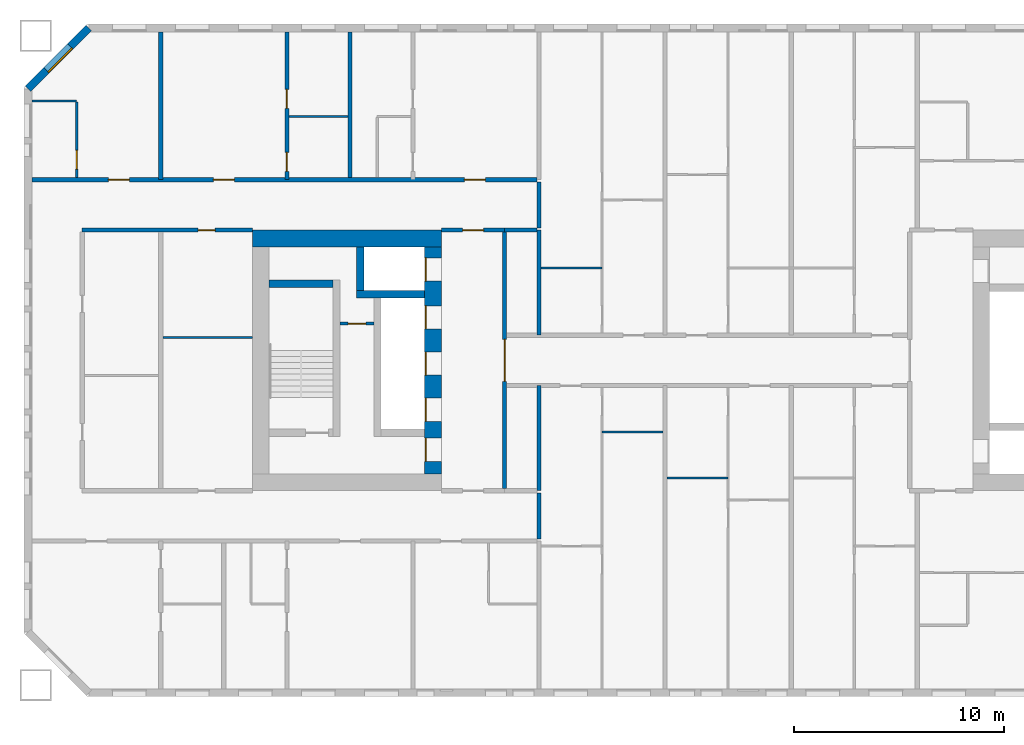
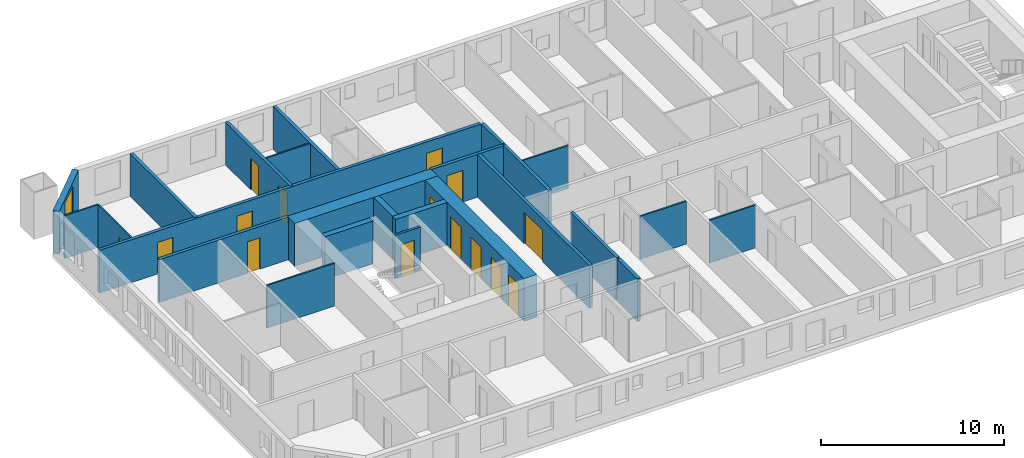
# One storey, part 5 of 19: 26 walls, 15 doors, 1 window, 16 openings.
"""IFC4 building model written with IfcOpenShell, lengths in metres."""

from ifc_helpers import new_model, si_unit, direction, frame, frame_2d, origin, place, context, subcontext, project, spatial, rectangle, extrude, material, layer, layer_set, type_object, element, fill, save


model = new_model("IFC4")

# Units and contexts
model_context = context("Model", 3, precision=1e-05, world=origin(), true_north=direction((0.0, 1.0)))
body_context = subcontext(model_context, "Body", "Model", "MODEL_VIEW")
ifc_project = project(units=[si_unit("LENGTHUNIT", "METRE"), si_unit("AREAUNIT", "SQUARE_METRE"), si_unit("VOLUMEUNIT", "CUBIC_METRE"), si_unit("PLANEANGLEUNIT", "RADIAN"), si_unit("MASSUNIT", "GRAM", prefix="KILO")], contexts=[model_context])

# Site, building, storey
site_placement = place(None, origin())
site = spatial("IfcSite", under=ifc_project, at=site_placement, CompositionType="ELEMENT")
building_placement = place(site_placement, origin())
building = spatial("IfcBuilding", under=site, at=building_placement, Name="Tuart Gate Housing", CompositionType="ELEMENT")
storey_placement = place(building_placement, frame((0.0, 0.0, 56.699951171875)))
storey = spatial("IfcBuildingStorey", under=building, at=storey_placement, Name="L15", CompositionType="ELEMENT", Elevation=56.699951171875)

# Wall, opening, window
ifc_material_1 = material(Name="Brick", Category="masonry")
ifc_layer_1 = layer(ifc_material_1, 0.360107421875)
ifc_layer_set_1 = layer_set([ifc_layer_1], Name="Brick pier and spandrel wall 360")
wall_type_1 = type_object("IfcWallType", Name="Brick pier and spandrel wall 360", PredefinedType="STANDARD", material=ifc_layer_set_1)
wall_1_placement = place(storey_placement, frame((24.57470703125, 85.820068359375, 0.0), z_axis=(0.0, 0.0, 1.0), x_axis=(-0.707106781187, -0.707106781187, 0.0)))
wall_1 = element("IfcWall", 1, at=wall_1_placement, inside=storey, type_object=wall_type_1, Name="External wall A-NW L15", PredefinedType="STANDARD", context=body_context, shape_type="SweptSolid", body=[
    extrude(rectangle(XDim=4.09375, YDim=0.360107421875, at=frame_2d((2.046875, 0.0))), origin(), (0.0, 0.0, 1.0), 2.85009765625),
])
opening_1_placement = place(wall_1_placement, frame((1.2470703125, 0.0, 0.800048828125)))
opening_1 = element("IfcOpeningElement", 2, at=opening_1_placement, cuts=wall_1, Name="Opening W1", PredefinedType="OPENING", context=body_context, shape_type="SweptSolid", body=[
    extrude(rectangle(XDim=1.60009765625, YDim=1.800048828125, at=frame_2d((0.800048828125, 0.89990234375))), frame((0.0, 0.18994140625, 0.0), z_axis=(0.0, -1.0, 0.0), x_axis=(1.0, 0.0, 0.0)), (0.0, 0.0, 1.0), 0.380126953125),
])
ifc_material_2 = material(Name="Aluminium frame with clear glass", Category="aluminium")
window_type = type_object("IfcWindowType", Name="Punched window 1600 x 1800", PartitioningType="SINGLE_PANEL", PredefinedType="WINDOW", material=ifc_material_2)
window_placement = place(opening_1_placement, origin())
window = element("IfcWindow", 3, at=window_placement, inside=storey, type_object=window_type, Name="Window W1", OverallHeight=1.800048828125, OverallWidth=1.60009765625, PartitioningType="SINGLE_PANEL", PredefinedType="WINDOW", context=body_context, shape_type="SweptSolid", body=[
    extrude(rectangle(XDim=1.60009765625, YDim=1.800048828125, at=frame_2d((0.800048828125, 0.89990234375))), frame((0.0, 0.150146484375, 0.0), z_axis=(0.0, -1.0, 0.0), x_axis=(1.0, 0.0, 0.0)), (0.0, 0.0, 1.0), 0.06005859375),
])
fill(opening_1, window)

# Wall, opening, door
ifc_material_3 = material(Name="Plasterboard partition")
ifc_layer_2 = layer(ifc_material_3, 0.14990234375)
ifc_layer_set_2 = layer_set([ifc_layer_2], Name="Core partition 150")
wall_type_2 = type_object("IfcWallType", Name="Core partition 150", PredefinedType="PARTITIONING", material=ifc_layer_set_2)
wall_2_placement = place(storey_placement, frame((38.135009765625, 71.75, 0.0), z_axis=(0.0, 0.0, 1.0), x_axis=(-1.0, 0.0, 0.0)))
wall_2 = element("IfcWall", 4, at=wall_2_placement, inside=storey, type_object=wall_type_2, Name="Core partition AK.3", PredefinedType="PARTITIONING", context=body_context, shape_type="SweptSolid", body=[
    extrude(rectangle(XDim=1.60009765625, YDim=0.14990234375, at=frame_2d((0.800048828125, 0.0))), origin(), (0.0, 0.0, 1.0), 2.85009765625),
])
opening_2_placement = place(wall_2_placement, frame((0.375, 0.0, 0.0)))
opening_2 = element("IfcOpeningElement", 5, at=opening_2_placement, cuts=wall_2, Name="Opening D738", PredefinedType="OPENING", context=body_context, shape_type="SweptSolid", body=[
    extrude(rectangle(XDim=0.85009765625, YDim=2.10009765625, at=frame_2d((0.425048828125, 1.050048828125))), frame((0.0, 0.0849609375, 0.0), z_axis=(0.0, -1.0, 0.0), x_axis=(1.0, 0.0, 0.0)), (0.0, 0.0, 1.0), 0.169921875),
])
ifc_material_4 = material(Name="Steel fire door", Category="steel")
door_type_1 = type_object("IfcDoorType", Name="Riser door 850 x 2100 RH", OperationType="SINGLE_SWING_RIGHT", PredefinedType="DOOR", material=ifc_material_4)
door_1_placement = place(opening_2_placement, frame((0.85009765625, 0.0, 0.0), z_axis=(0.0, 0.0, 1.0), x_axis=(-1.0, 0.0, 0.0)))
door_1 = element("IfcDoor", 6, at=door_1_placement, inside=storey, type_object=door_type_1, Name="Service room door AK.E1", OperationType="SINGLE_SWING_RIGHT", OverallHeight=2.10009765625, OverallWidth=0.85009765625, PredefinedType="DOOR", context=body_context, shape_type="SweptSolid", body=[
    extrude(rectangle(XDim=0.85009765625, YDim=2.10009765625, at=frame_2d((0.425048828125, 1.050048828125))), frame((0.0, 0.025146484375, 0.0), z_axis=(0.0, -1.0, 0.0), x_axis=(1.0, 0.0, 0.0)), (0.0, 0.0, 1.0), 0.050048828125),
])
fill(opening_2, door_1)

# Walls
ifc_material_5 = material(Name="Concrete C60", Category="concrete")
ifc_layer_3 = layer(ifc_material_5, 0.35009765625)
ifc_layer_set_3 = layer_set([ifc_layer_3], Name="Core wall 350 C60")
wall_type_3 = type_object("IfcWallType", Name="Core wall 350 C60", PredefinedType="SHEAR", material=ifc_layer_set_3)
wall_3_placement = place(storey_placement, frame((36.18505859375, 73.64990234375, 0.0), z_axis=(0.0, 0.0, 1.0), x_axis=(-1.0, 0.0, 0.0)))
element("IfcWall", 7, at=wall_3_placement, inside=storey, type_object=wall_type_3, Name="Core wall AK.1", PredefinedType="SHEAR", context=body_context, shape_type="SweptSolid", body=[
    extrude(rectangle(XDim=3.025146484375, YDim=0.35009765625, at=frame_2d((1.5126953125, 0.0))), origin(), (0.0, 0.0, 1.0), 2.85009765625),
])
wall_4_placement = place(storey_placement, frame((40.56005859375, 73.14990234375, 0.0), z_axis=(0.0, 0.0, 1.0), x_axis=(-1.0, 0.0, 0.0)))
element("IfcWall", 8, at=wall_4_placement, inside=storey, type_object=wall_type_3, Name="Core wall AK.2", PredefinedType="SHEAR", context=body_context, shape_type="SweptSolid", body=[
    extrude(rectangle(XDim=3.2451171875, YDim=0.35009765625, at=frame_2d((1.62255859375, 0.0))), origin(), (0.0, 0.0, 1.0), 2.85009765625),
])
wall_5_placement = place(storey_placement, frame((37.489990234375, 75.39990234375, 0.0), z_axis=(0.0, 0.0, 1.0), x_axis=(0.0, -1.0, 0.0)))
element("IfcWall", 9, at=wall_5_placement, inside=storey, type_object=wall_type_3, Name="Core wall AK.7", PredefinedType="SHEAR", context=body_context, shape_type="SweptSolid", body=[
    extrude(rectangle(XDim=2.074951171875, YDim=0.35009765625, at=frame_2d((1.03759765625, 0.0))), origin(), (0.0, 0.0, 1.0), 2.85009765625),
])

# Wall, openings, doors
ifc_material_6 = material(Name="Concrete C60", Category="concrete")
ifc_layer_4 = layer(ifc_material_6, 0.800048828125)
ifc_layer_set_4 = layer_set([ifc_layer_4], Name="Core wall 800 C60")
wall_type_4 = type_object("IfcWallType", Name="Core wall 800 C60", PredefinedType="SHEAR", material=ifc_layer_set_4)
wall_6_placement = place(storey_placement, frame((40.9599609375, 75.39990234375, 0.0), z_axis=(0.0, 0.0, 1.0), x_axis=(0.0, -1.0, 0.0)))
wall_6 = element("IfcWall", 10, at=wall_6_placement, inside=storey, type_object=wall_type_4, Name="Core wall AK front", PredefinedType="SHEAR", context=body_context, shape_type="SweptSolid", body=[
    extrude(rectangle(XDim=10.7998046875, YDim=0.800048828125, at=frame_2d((5.39990234375, 0.0))), origin(), (0.0, 0.0, 1.0), 2.85009765625),
])
opening_3_placement = place(wall_6_placement, frame((0.52490234375, 0.0, 0.0)))
opening_3 = element("IfcOpeningElement", 11, at=opening_3_placement, cuts=wall_6, Name="Opening LD-FA2", PredefinedType="OPENING", context=body_context, shape_type="SweptSolid", body=[
    extrude(rectangle(XDim=1.10009765625, YDim=2.10009765625, at=frame_2d((0.550048828125, 1.050048828125))), frame((0.0, 0.409912109375, 0.0), z_axis=(0.0, -1.0, 0.0), x_axis=(1.0, 0.0, 0.0)), (0.0, 0.0, 1.0), 0.820068359375),
])
opening_4_placement = place(wall_6_placement, frame((2.800048828125, 0.0, 0.0)))
opening_4 = element("IfcOpeningElement", 12, at=opening_4_placement, cuts=wall_6, Name="Opening LD-LA4", PredefinedType="OPENING", context=body_context, shape_type="SweptSolid", body=[
    extrude(rectangle(XDim=1.10009765625, YDim=2.10009765625, at=frame_2d((0.550048828125, 1.050048828125))), frame((0.0, 0.409912109375, 0.0), z_axis=(0.0, -1.0, 0.0), x_axis=(1.0, 0.0, 0.0)), (0.0, 0.0, 1.0), 0.820068359375),
])
opening_5_placement = place(wall_6_placement, frame((5.0, 0.0, 0.0)))
opening_5 = element("IfcOpeningElement", 13, at=opening_5_placement, cuts=wall_6, Name="Opening LD-LA5", PredefinedType="OPENING", context=body_context, shape_type="SweptSolid", body=[
    extrude(rectangle(XDim=1.10009765625, YDim=2.10009765625, at=frame_2d((0.550048828125, 1.050048828125))), frame((0.0, 0.409912109375, 0.0), z_axis=(0.0, -1.0, 0.0), x_axis=(1.0, 0.0, 0.0)), (0.0, 0.0, 1.0), 0.820068359375),
])
opening_6_placement = place(wall_6_placement, frame((7.199951171875, 0.0, 0.0)))
opening_6 = element("IfcOpeningElement", 14, at=opening_6_placement, cuts=wall_6, Name="Opening LD-LA6", PredefinedType="OPENING", context=body_context, shape_type="SweptSolid", body=[
    extrude(rectangle(XDim=1.10009765625, YDim=2.10009765625, at=frame_2d((0.550048828125, 1.050048828125))), frame((0.0, 0.409912109375, 0.0), z_axis=(0.0, -1.0, 0.0), x_axis=(1.0, 0.0, 0.0)), (0.0, 0.0, 1.0), 0.820068359375),
])
opening_7_placement = place(wall_6_placement, frame((9.10009765625, 0.0, 0.0)))
opening_7 = element("IfcOpeningElement", 15, at=opening_7_placement, cuts=wall_6, Name="Opening D744", PredefinedType="OPENING", context=body_context, shape_type="SweptSolid", body=[
    extrude(rectangle(XDim=1.10009765625, YDim=2.10009765625, at=frame_2d((0.550048828125, 1.050048828125))), frame((0.0, 0.409912109375, 0.0), z_axis=(0.0, -1.0, 0.0), x_axis=(1.0, 0.0, 0.0)), (0.0, 0.0, 1.0), 0.820068359375),
])
ifc_material_7 = material(Name="Stainless steel", Category="steel")
door_type_2 = type_object("IfcDoorType", Name="Landing door 1100 x 2100", OperationType="DOUBLE_DOOR_SLIDING", PredefinedType="DOOR", material=ifc_material_7)
door_2_placement = place(opening_3_placement, origin())
door_2 = element("IfcDoor", 16, at=door_2_placement, inside=storey, type_object=door_type_2, Name="Lift landing door FA2", OperationType="DOUBLE_DOOR_SLIDING", OverallHeight=2.10009765625, OverallWidth=1.10009765625, PredefinedType="DOOR", context=body_context, shape_type="SweptSolid", body=[
    extrude(rectangle(XDim=1.10009765625, YDim=2.10009765625, at=frame_2d((0.550048828125, 1.050048828125))), frame((0.0, -0.3349609375, 0.0), z_axis=(0.0, -1.0, 0.0), x_axis=(1.0, 0.0, 0.0)), (0.0, 0.0, 1.0), 0.050048828125),
])
fill(opening_3, door_2)
door_3_placement = place(opening_4_placement, origin())
door_3 = element("IfcDoor", 17, at=door_3_placement, inside=storey, type_object=door_type_2, Name="Lift landing door LA4", OperationType="DOUBLE_DOOR_SLIDING", OverallHeight=2.10009765625, OverallWidth=1.10009765625, PredefinedType="DOOR", context=body_context, shape_type="SweptSolid", body=[
    extrude(rectangle(XDim=1.10009765625, YDim=2.10009765625, at=frame_2d((0.550048828125, 1.050048828125))), frame((0.0, -0.3349609375, 0.0), z_axis=(0.0, -1.0, 0.0), x_axis=(1.0, 0.0, 0.0)), (0.0, 0.0, 1.0), 0.050048828125),
])
fill(opening_4, door_3)
door_4_placement = place(opening_5_placement, origin())
door_4 = element("IfcDoor", 18, at=door_4_placement, inside=storey, type_object=door_type_2, Name="Lift landing door LA5", OperationType="DOUBLE_DOOR_SLIDING", OverallHeight=2.10009765625, OverallWidth=1.10009765625, PredefinedType="DOOR", context=body_context, shape_type="SweptSolid", body=[
    extrude(rectangle(XDim=1.10009765625, YDim=2.10009765625, at=frame_2d((0.550048828125, 1.050048828125))), frame((0.0, -0.3349609375, 0.0), z_axis=(0.0, -1.0, 0.0), x_axis=(1.0, 0.0, 0.0)), (0.0, 0.0, 1.0), 0.050048828125),
])
fill(opening_5, door_4)
door_5_placement = place(opening_6_placement, origin())
door_5 = element("IfcDoor", 19, at=door_5_placement, inside=storey, type_object=door_type_2, Name="Lift landing door LA6", OperationType="DOUBLE_DOOR_SLIDING", OverallHeight=2.10009765625, OverallWidth=1.10009765625, PredefinedType="DOOR", context=body_context, shape_type="SweptSolid", body=[
    extrude(rectangle(XDim=1.10009765625, YDim=2.10009765625, at=frame_2d((0.550048828125, 1.050048828125))), frame((0.0, -0.3349609375, 0.0), z_axis=(0.0, -1.0, 0.0), x_axis=(1.0, 0.0, 0.0)), (0.0, 0.0, 1.0), 0.050048828125),
])
fill(opening_6, door_5)
ifc_material_8 = material(Name="Steel fire door", Category="steel")
door_type_3 = type_object("IfcDoorType", Name="Lobby door 1100 x 2100 RH", OperationType="SINGLE_SWING_RIGHT", PredefinedType="DOOR", material=ifc_material_8)
door_6_placement = place(opening_7_placement, frame((1.10009765625, 0.0, 0.0), z_axis=(0.0, 0.0, 1.0), x_axis=(-1.0, 0.0, 0.0)))
door_6 = element("IfcDoor", 20, at=door_6_placement, inside=storey, type_object=door_type_3, Name="Lobby entry door AK.EN", OperationType="SINGLE_SWING_RIGHT", OverallHeight=2.10009765625, OverallWidth=1.10009765625, PredefinedType="DOOR", context=body_context, shape_type="SweptSolid", body=[
    extrude(rectangle(XDim=1.10009765625, YDim=2.10009765625, at=frame_2d((0.550048828125, 1.050048828125))), frame((0.0, 0.385009765625, 0.0), z_axis=(0.0, -1.0, 0.0), x_axis=(1.0, 0.0, 0.0)), (0.0, 0.0, 1.0), 0.050048828125),
])
fill(opening_7, door_6)

# Wall
wall_7_placement = place(storey_placement, frame((41.360107421875, 75.800048828125, 0.0), z_axis=(0.0, 0.0, 1.0), x_axis=(-1.0, 0.0, 0.0)))
element("IfcWall", 21, at=wall_7_placement, inside=storey, type_object=wall_type_4, Name="Core wall AK south", PredefinedType="SHEAR", context=body_context, shape_type="SweptSolid", body=[
    extrude(rectangle(XDim=9.0, YDim=0.800048828125, at=frame_2d((4.5, 0.0))), origin(), (0.0, 0.0, 1.0), 2.85009765625),
])

# Wall, opening, door
ifc_material_9 = material(Name="Concrete masonry 15 MPa", Category="masonry")
ifc_layer_5 = layer(ifc_material_9, 0.199951171875)
ifc_layer_set_5 = layer_set([ifc_layer_5], Name="Corridor wall masonry 200")
wall_type_5 = type_object("IfcWallType", Name="Corridor wall masonry 200", PredefinedType="PARTITIONING", material=ifc_layer_set_5)
wall_8_placement = place(storey_placement, frame((24.260009765625, 76.199951171875, 0.0), z_axis=(0.0, 0.0, 1.0), x_axis=(1.0, 0.0, 0.0)))
wall_8 = element("IfcWall", 22, at=wall_8_placement, inside=storey, type_object=wall_type_5, Name="Corridor wall masonry 200", PredefinedType="PARTITIONING", context=body_context, shape_type="SweptSolid", body=[
    extrude(rectangle(XDim=8.10009765625, YDim=0.199951171875, at=frame_2d((4.050048828125, 0.0))), origin(), (0.0, 0.0, 1.0), 2.85009765625),
])
opening_8_placement = place(wall_8_placement, frame((5.52001953125, 0.0, 0.0)))
opening_8 = element("IfcOpeningElement", 23, at=opening_8_placement, cuts=wall_8, Name="Opening D734", PredefinedType="OPENING", context=body_context, shape_type="SweptSolid", body=[
    extrude(rectangle(XDim=0.800048828125, YDim=2.10009765625, at=frame_2d((0.39990234375, 1.050048828125))), frame((0.0, 0.10986328125, 0.0), z_axis=(0.0, -1.0, 0.0), x_axis=(1.0, 0.0, 0.0)), (0.0, 0.0, 1.0), 0.219970703125),
])
ifc_material_10 = material(Name="Timber door leaf in steel frame", Category="steel")
door_type_4 = type_object("IfcDoorType", Name="Store door 800 RH", OperationType="SINGLE_SWING_RIGHT", PredefinedType="DOOR", material=ifc_material_10)
door_7_placement = place(opening_8_placement, frame((0.800048828125, 0.0, 0.0), z_axis=(0.0, 0.0, 1.0), x_axis=(-1.0, 0.0, 0.0)))
door_7 = element("IfcDoor", 24, at=door_7_placement, inside=storey, type_object=door_type_4, Name="Store door", OperationType="SINGLE_SWING_RIGHT", OverallHeight=2.10009765625, OverallWidth=0.800048828125, PredefinedType="DOOR", context=body_context, shape_type="SweptSolid", body=[
    extrude(rectangle(XDim=0.800048828125, YDim=2.10009765625, at=frame_2d((0.400146484375, 1.050048828125))), frame((0.0, 0.025146484375, 0.0), z_axis=(0.0, -1.0, 0.0), x_axis=(1.0, 0.0, 0.0)), (0.0, 0.0, 1.0), 0.050048828125),
])
fill(opening_8, door_7)

# Wall
wall_9_placement = place(storey_placement, frame((44.360107421875, 76.199951171875, 0.0), z_axis=(0.0, 0.0, 1.0), x_axis=(1.0, 0.0, 0.0)))
element("IfcWall", 25, at=wall_9_placement, inside=storey, type_object=wall_type_5, Name="Corridor wall masonry 200", PredefinedType="PARTITIONING", context=body_context, shape_type="SweptSolid", body=[
    extrude(rectangle(XDim=1.539794921875, YDim=0.199951171875, at=frame_2d((0.77001953125, 0.0))), origin(), (0.0, 0.0, 1.0), 2.85009765625),
])

# Wall, openings, doors
wall_10_placement = place(storey_placement, frame((21.860107421875, 78.60009765625, 0.0), z_axis=(0.0, 0.0, 1.0), x_axis=(1.0, 0.0, 0.0)))
wall_10 = element("IfcWall", 26, at=wall_10_placement, inside=storey, type_object=wall_type_5, Name="Corridor wall masonry 200", PredefinedType="PARTITIONING", context=body_context, shape_type="SweptSolid", body=[
    extrude(rectangle(XDim=24.039794921875, YDim=0.199951171875, at=frame_2d((12.02001953125, 0.0))), origin(), (0.0, 0.0, 1.0), 2.85009765625),
])
opening_9_placement = place(wall_10_placement, frame((20.590087890625, 0.0, 0.0)))
opening_9 = element("IfcOpeningElement", 27, at=opening_9_placement, cuts=wall_10, Name="Opening D724", PredefinedType="OPENING", context=body_context, shape_type="SweptSolid", body=[
    extrude(rectangle(XDim=1.0, YDim=2.10009765625, at=frame_2d((0.5, 1.050048828125))), frame((0.0, 0.10986328125, 0.0), z_axis=(0.0, -1.0, 0.0), x_axis=(1.0, 0.0, 0.0)), (0.0, 0.0, 1.0), 0.219970703125),
])
opening_10_placement = place(wall_10_placement, frame((8.639892578125, 0.0, 0.0)))
opening_10 = element("IfcOpeningElement", 28, at=opening_10_placement, cuts=wall_10, Name="Opening D725", PredefinedType="OPENING", context=body_context, shape_type="SweptSolid", body=[
    extrude(rectangle(XDim=1.0, YDim=2.10009765625, at=frame_2d((0.5, 1.050048828125))), frame((0.0, 0.10986328125, 0.0), z_axis=(0.0, -1.0, 0.0), x_axis=(1.0, 0.0, 0.0)), (0.0, 0.0, 1.0), 0.219970703125),
])
opening_11_placement = place(wall_10_placement, frame((3.639892578125, 0.0, 0.0)))
opening_11 = element("IfcOpeningElement", 29, at=opening_11_placement, cuts=wall_10, Name="Opening D726", PredefinedType="OPENING", context=body_context, shape_type="SweptSolid", body=[
    extrude(rectangle(XDim=1.0, YDim=2.10009765625, at=frame_2d((0.5, 1.050048828125))), frame((0.0, 0.10986328125, 0.0), z_axis=(0.0, -1.0, 0.0), x_axis=(1.0, 0.0, 0.0)), (0.0, 0.0, 1.0), 0.219970703125),
])
ifc_material_11 = material(Name="Timber door leaf in steel frame", Category="steel")
door_type_5 = type_object("IfcDoorType", Name="Flat entrance door 1000", OperationType="SINGLE_SWING_LEFT", PredefinedType="DOOR", material=ifc_material_11)
door_8_placement = place(opening_9_placement, origin())
door_8 = element("IfcDoor", 30, at=door_8_placement, inside=storey, type_object=door_type_5, Name="Flat entrance door", OperationType="SINGLE_SWING_LEFT", OverallHeight=2.10009765625, OverallWidth=1.0, PredefinedType="DOOR", context=body_context, shape_type="SweptSolid", body=[
    extrude(rectangle(XDim=1.0, YDim=2.10009765625, at=frame_2d((0.5, 1.050048828125))), frame((0.0, 0.02490234375, 0.0), z_axis=(0.0, -1.0, 0.0), x_axis=(1.0, 0.0, 0.0)), (0.0, 0.0, 1.0), 0.050048828125),
])
fill(opening_9, door_8)
door_9_placement = place(opening_10_placement, origin())
door_9 = element("IfcDoor", 31, at=door_9_placement, inside=storey, type_object=door_type_5, Name="Flat entrance door", OperationType="SINGLE_SWING_LEFT", OverallHeight=2.10009765625, OverallWidth=1.0, PredefinedType="DOOR", context=body_context, shape_type="SweptSolid", body=[
    extrude(rectangle(XDim=1.0, YDim=2.10009765625, at=frame_2d((0.5, 1.050048828125))), frame((0.0, 0.02490234375, 0.0), z_axis=(0.0, -1.0, 0.0), x_axis=(1.0, 0.0, 0.0)), (0.0, 0.0, 1.0), 0.050048828125),
])
fill(opening_10, door_9)
door_10_placement = place(opening_11_placement, origin())
door_10 = element("IfcDoor", 32, at=door_10_placement, inside=storey, type_object=door_type_5, Name="Flat entrance door", OperationType="SINGLE_SWING_LEFT", OverallHeight=2.10009765625, OverallWidth=1.0, PredefinedType="DOOR", context=body_context, shape_type="SweptSolid", body=[
    extrude(rectangle(XDim=1.0, YDim=2.10009765625, at=frame_2d((0.5, 1.050048828125))), frame((0.0, 0.02490234375, 0.0), z_axis=(0.0, -1.0, 0.0), x_axis=(1.0, 0.0, 0.0)), (0.0, 0.0, 1.0), 0.050048828125),
])
fill(opening_11, door_10)

# Walls
for number, where, z_axis, x_axis, name in (
    (33, (46.0, 61.5, 0.0), (0.0, 0.0, 1.0), (0.0, 1.0, 0.0), "Corridor wall masonry 200"),
    (34, (46.0, 76.300048828125, 0.0), (0.0, 0.0, 1.0), (0.0, 1.0, 0.0), "Corridor wall masonry 200"),
):
    element("IfcWall", number, at=place(storey_placement, frame(where, z_axis=z_axis, x_axis=x_axis)), inside=storey, type_object=wall_type_5, Name=name, PredefinedType="PARTITIONING", context=body_context, shape_type="SweptSolid", body=[
        extrude(rectangle(XDim=2.199951171875, YDim=0.199951171875, at=frame_2d((1.10009765625, 0.0))), origin(), (0.0, 0.0, 1.0), 2.85009765625),
    ])

# Wall, opening, door
ifc_material_12 = material(Name="Concrete masonry 15 MPa", Category="masonry")
ifc_layer_6 = layer(ifc_material_12, 0.199951171875)
ifc_layer_set_6 = layer_set([ifc_layer_6], Name="Enclosure wall masonry 200")
wall_type_6 = type_object("IfcWallType", Name="Enclosure wall masonry 200", PredefinedType="PARTITIONING", material=ifc_layer_set_6)
wall_11_placement = place(storey_placement, frame((41.360107421875, 76.199951171875, 0.0), z_axis=(0.0, 0.0, 1.0), x_axis=(1.0, 0.0, 0.0)))
wall_11 = element("IfcWall", 35, at=wall_11_placement, inside=storey, type_object=wall_type_6, Name="Enclosure wall masonry 200", PredefinedType="PARTITIONING", context=body_context, shape_type="SweptSolid", body=[
    extrude(rectangle(XDim=3.0, YDim=0.199951171875, at=frame_2d((1.5, 0.0))), origin(), (0.0, 0.0, 1.0), 2.85009765625),
])
opening_12_placement = place(wall_11_placement, frame((1.0, 0.0, 0.0)))
opening_12 = element("IfcOpeningElement", 36, at=opening_12_placement, cuts=wall_11, Name="Opening D735", PredefinedType="OPENING", context=body_context, shape_type="SweptSolid", body=[
    extrude(rectangle(XDim=1.0, YDim=2.10009765625, at=frame_2d((0.5, 1.050048828125))), frame((0.0, 0.10986328125, 0.0), z_axis=(0.0, -1.0, 0.0), x_axis=(1.0, 0.0, 0.0)), (0.0, 0.0, 1.0), 0.219970703125),
])
ifc_material_13 = material(Name="Timber door leaf in steel frame", Category="steel")
door_type_6 = type_object("IfcDoorType", Name="Fire door 1000 RH", OperationType="SINGLE_SWING_RIGHT", PredefinedType="DOOR", material=ifc_material_13)
door_11_placement = place(opening_12_placement, origin())
door_11 = element("IfcDoor", 37, at=door_11_placement, inside=storey, type_object=door_type_6, Name="Fire door", OperationType="SINGLE_SWING_RIGHT", OverallHeight=2.10009765625, OverallWidth=1.0, PredefinedType="DOOR", context=body_context, shape_type="SweptSolid", body=[
    extrude(rectangle(XDim=1.0, YDim=2.10009765625, at=frame_2d((0.5, 1.050048828125))), frame((0.0, 0.02490234375, 0.0), z_axis=(0.0, -1.0, 0.0), x_axis=(1.0, 0.0, 0.0)), (0.0, 0.0, 1.0), 0.050048828125),
])
fill(opening_12, door_11)

ifc_material_14 = material(Name="Plasterboard partition")
ifc_layer_7 = layer(ifc_material_14, 0.199951171875)
ifc_layer_set_7 = layer_set([ifc_layer_7], Name="Lobby wall 200")
wall_type_7 = type_object("IfcWallType", Name="Lobby wall 200", PredefinedType="PARTITIONING", material=ifc_layer_set_7)
wall_12_placement = place(storey_placement, frame((44.360107421875, 63.89990234375, 0.0), z_axis=(0.0, 0.0, 1.0), x_axis=(0.0, 1.0, 0.0)))
wall_12 = element("IfcWall", 38, at=wall_12_placement, inside=storey, type_object=wall_type_7, Name="Lift lobby wall AK", PredefinedType="PARTITIONING", context=body_context, shape_type="SweptSolid", body=[
    extrude(rectangle(XDim=12.2001953125, YDim=0.199951171875, at=frame_2d((6.10009765625, 0.0))), origin(), (0.0, 0.0, 1.0), 2.85009765625),
])
opening_13_placement = place(wall_12_placement, frame((5.10009765625, 0.0, 0.0)))
opening_13 = element("IfcOpeningElement", 39, at=opening_13_placement, cuts=wall_12, Name="Opening D745", PredefinedType="OPENING", context=body_context, shape_type="SweptSolid", body=[
    extrude(rectangle(XDim=2.0, YDim=2.10009765625, at=frame_2d((1.0, 1.050048828125))), frame((0.0, 0.10986328125, 0.0), z_axis=(0.0, -1.0, 0.0), x_axis=(1.0, 0.0, 0.0)), (0.0, 0.0, 1.0), 0.219970703125),
])
ifc_material_15 = material(Name="Steel fire door", Category="steel")
door_type_7 = type_object("IfcDoorType", Name="Smoke door 2000 x 2100", OperationType="DOUBLE_DOOR_SINGLE_SWING", PredefinedType="DOOR", material=ifc_material_15)
door_12_placement = place(opening_13_placement, origin())
door_12 = element("IfcDoor", 40, at=door_12_placement, inside=storey, type_object=door_type_7, Name="Lift lobby smoke door AK", OperationType="DOUBLE_DOOR_SINGLE_SWING", OverallHeight=2.10009765625, OverallWidth=2.0, PredefinedType="DOOR", context=body_context, shape_type="SweptSolid", body=[
    extrude(rectangle(XDim=2.0, YDim=2.10009765625, at=frame_2d((1.0, 1.050048828125))), frame((0.0, 0.02490234375, 0.0), z_axis=(0.0, -1.0, 0.0), x_axis=(1.0, 0.0, 0.0)), (0.0, 0.0, 1.0), 0.050048828125),
])
fill(opening_13, door_12)

# Walls
ifc_material_16 = material(Name="Gypsum board on steel studs", Category="steel")
ifc_layer_8 = layer(ifc_material_16, 0.10009765625)
ifc_layer_set_8 = layer_set([ifc_layer_8], Name="Partition 100")
wall_type_8 = type_object("IfcWallType", Name="Partition 100", PredefinedType="PARTITIONING", material=ifc_layer_set_8)
for number, where, z_axis, x_axis, name in (
    (41, (52.10009765625, 64.39990234375, 0.0), (0.0, 0.0, 1.0), (1.0, 0.0, 0.0), "Partition 100"),
    (42, (49.0, 66.60009765625, 0.0), (0.0, 0.0, 1.0), (1.0, 0.0, 0.0), "Partition 100"),
):
    element("IfcWall", number, at=place(storey_placement, frame(where, z_axis=z_axis, x_axis=x_axis)), inside=storey, type_object=wall_type_8, Name=name, PredefinedType="PARTITIONING", context=body_context, shape_type="SweptSolid", body=[
        extrude(rectangle(XDim=2.89990234375, YDim=0.10009765625, at=frame_2d((1.449951171875, 0.0))), origin(), (0.0, 0.0, 1.0), 2.85009765625),
    ])
wall_13_placement = place(storey_placement, frame((28.10009765625, 71.090087890625, 0.0), z_axis=(0.0, 0.0, 1.0), x_axis=(1.0, 0.0, 0.0)))
element("IfcWall", 43, at=wall_13_placement, inside=storey, type_object=wall_type_8, Name="Partition 100", PredefinedType="PARTITIONING", context=body_context, shape_type="SweptSolid", body=[
    extrude(rectangle(XDim=4.260009765625, YDim=0.10009765625, at=frame_2d((2.1298828125, 0.0))), origin(), (0.0, 0.0, 1.0), 2.85009765625),
])
wall_14_placement = place(storey_placement, frame((46.10009765625, 74.39990234375, 0.0), z_axis=(0.0, 0.0, 1.0), x_axis=(1.0, 0.0, 0.0)))
element("IfcWall", 44, at=wall_14_placement, inside=storey, type_object=wall_type_8, Name="Partition 100", PredefinedType="PARTITIONING", context=body_context, shape_type="SweptSolid", body=[
    extrude(rectangle(XDim=2.89990234375, YDim=0.10009765625, at=frame_2d((1.449951171875, 0.0))), origin(), (0.0, 0.0, 1.0), 2.85009765625),
])
wall_15_placement = place(storey_placement, frame((34.10009765625, 81.60009765625, 0.0), z_axis=(0.0, 0.0, 1.0), x_axis=(1.0, 0.0, 0.0)))
element("IfcWall", 45, at=wall_15_placement, inside=storey, type_object=wall_type_8, Name="Partition 100", PredefinedType="PARTITIONING", context=body_context, shape_type="SweptSolid", body=[
    extrude(rectangle(XDim=2.7998046875, YDim=0.10009765625, at=frame_2d((1.39990234375, 0.0))), origin(), (0.0, 0.0, 1.0), 2.85009765625),
])
wall_16_placement = place(storey_placement, frame((21.860107421875, 82.35009765625, 0.0), z_axis=(0.0, 0.0, 1.0), x_axis=(1.0, 0.0, 0.0)))
element("IfcWall", 46, at=wall_16_placement, inside=storey, type_object=wall_type_8, Name="Partition 100", PredefinedType="PARTITIONING", context=body_context, shape_type="SweptSolid", body=[
    extrude(rectangle(XDim=2.139892578125, YDim=0.10009765625, at=frame_2d((1.06982421875, 0.0))), origin(), (0.0, 0.0, 1.0), 2.85009765625),
])

# Wall, opening, door
wall_17_placement = place(storey_placement, frame((24.0, 78.699951171875, 0.0), z_axis=(0.0, 0.0, 1.0), x_axis=(0.0, 1.0, 0.0)))
wall_17 = element("IfcWall", 47, at=wall_17_placement, inside=storey, type_object=wall_type_8, Name="Partition 100", PredefinedType="PARTITIONING", context=body_context, shape_type="SweptSolid", body=[
    extrude(rectangle(XDim=3.60009765625, YDim=0.10009765625, at=frame_2d((1.800048828125, 0.0))), origin(), (0.0, 0.0, 1.0), 2.85009765625),
])
opening_14_placement = place(wall_17_placement, frame((0.39990234375, 0.0, 0.0)))
opening_14 = element("IfcOpeningElement", 48, at=opening_14_placement, cuts=wall_17, Name="Opening D719", PredefinedType="OPENING", context=body_context, shape_type="SweptSolid", body=[
    extrude(rectangle(XDim=0.89990234375, YDim=2.10009765625, at=frame_2d((0.449951171875, 1.050048828125))), frame((0.0, 0.06005859375, 0.0), z_axis=(0.0, -1.0, 0.0), x_axis=(1.0, 0.0, 0.0)), (0.0, 0.0, 1.0), 0.1201171875),
])
ifc_material_17 = material(Name="Timber door leaf in steel frame", Category="steel")
door_type_8 = type_object("IfcDoorType", Name="Bathroom door 900", OperationType="SINGLE_SWING_LEFT", PredefinedType="DOOR", material=ifc_material_17)
door_13_placement = place(opening_14_placement, origin())
door_13 = element("IfcDoor", 49, at=door_13_placement, inside=storey, type_object=door_type_8, Name="Bathroom door", OperationType="SINGLE_SWING_LEFT", OverallHeight=2.10009765625, OverallWidth=0.89990234375, PredefinedType="DOOR", context=body_context, shape_type="SweptSolid", body=[
    extrude(rectangle(XDim=0.89990234375, YDim=2.10009765625, at=frame_2d((0.449951171875, 1.050048828125))), frame((0.0, 0.02490234375, 0.0), z_axis=(0.0, -1.0, 0.0), x_axis=(1.0, 0.0, 0.0)), (0.0, 0.0, 1.0), 0.050048828125),
])
fill(opening_14, door_13)

# Wall
ifc_material_18 = material(Name="Concrete C40", Category="concrete")
ifc_layer_9 = layer(ifc_material_18, 0.199951171875)
ifc_layer_set_9 = layer_set([ifc_layer_9], Name="Party wall concrete C40 200")
wall_type_9 = type_object("IfcWallType", Name="Party wall concrete C40 200", PredefinedType="SOLIDWALL", material=ifc_layer_set_9)
wall_18_placement = place(storey_placement, frame((28.0, 78.60009765625, 0.0), z_axis=(0.0, 0.0, 1.0), x_axis=(0.0, 1.0, 0.0)))
element("IfcWall", 50, at=wall_18_placement, inside=storey, type_object=wall_type_9, Name="Party wall concrete C40 200", PredefinedType="SOLIDWALL", context=body_context, shape_type="SweptSolid", body=[
    extrude(rectangle(XDim=7.039794921875, YDim=0.199951171875, at=frame_2d((3.52001953125, 0.0))), origin(), (0.0, 0.0, 1.0), 2.85009765625),
])

# Wall, openings, doors
wall_19_placement = place(storey_placement, frame((34.0, 78.60009765625, 0.0), z_axis=(0.0, 0.0, 1.0), x_axis=(0.0, 1.0, 0.0)))
wall_19 = element("IfcWall", 51, at=wall_19_placement, inside=storey, type_object=wall_type_9, Name="Party wall concrete C40 200", PredefinedType="SOLIDWALL", context=body_context, shape_type="SweptSolid", body=[
    extrude(rectangle(XDim=7.039794921875, YDim=0.199951171875, at=frame_2d((3.52001953125, 0.0))), origin(), (0.0, 0.0, 1.0), 2.85009765625),
])
opening_15_placement = place(wall_19_placement, frame((3.39990234375, 0.0, 0.0)))
opening_15 = element("IfcOpeningElement", 52, at=opening_15_placement, cuts=wall_19, Name="Opening D714", PredefinedType="OPENING", context=body_context, shape_type="SweptSolid", body=[
    extrude(rectangle(XDim=0.89990234375, YDim=2.10009765625, at=frame_2d((0.449951171875, 1.050048828125))), frame((0.0, 0.10986328125, 0.0), z_axis=(0.0, -1.0, 0.0), x_axis=(1.0, 0.0, 0.0)), (0.0, 0.0, 1.0), 0.219970703125),
])
opening_16_placement = place(wall_19_placement, frame((0.39990234375, 0.0, 0.0)))
opening_16 = element("IfcOpeningElement", 53, at=opening_16_placement, cuts=wall_19, Name="Opening D713", PredefinedType="OPENING", context=body_context, shape_type="SweptSolid", body=[
    extrude(rectangle(XDim=0.89990234375, YDim=2.10009765625, at=frame_2d((0.449951171875, 1.050048828125))), frame((0.0, 0.10986328125, 0.0), z_axis=(0.0, -1.0, 0.0), x_axis=(1.0, 0.0, 0.0)), (0.0, 0.0, 1.0), 0.219970703125),
])
ifc_material_19 = material(Name="Timber door leaf in steel frame", Category="steel")
door_type_9 = type_object("IfcDoorType", Name="Bathroom door 900 RH", OperationType="SINGLE_SWING_RIGHT", PredefinedType="DOOR", material=ifc_material_19)
door_14_placement = place(opening_16_placement, frame((0.89990234375, 0.0, 0.0), z_axis=(0.0, 0.0, 1.0), x_axis=(-1.0, 0.0, 0.0)))
door_14 = element("IfcDoor", 54, at=door_14_placement, inside=storey, type_object=door_type_9, Name="Bathroom door", OperationType="SINGLE_SWING_RIGHT", OverallHeight=2.10009765625, OverallWidth=0.89990234375, PredefinedType="DOOR", context=body_context, shape_type="SweptSolid", body=[
    extrude(rectangle(XDim=0.89990234375, YDim=2.10009765625, at=frame_2d((0.449951171875, 1.050048828125))), frame((0.0, 0.025146484375, 0.0), z_axis=(0.0, -1.0, 0.0), x_axis=(1.0, 0.0, 0.0)), (0.0, 0.0, 1.0), 0.050048828125),
])
fill(opening_16, door_14)
ifc_material_20 = material(Name="Timber door leaf in steel frame", Category="steel")
door_type_10 = type_object("IfcDoorType", Name="Internal door 900 RH", OperationType="SINGLE_SWING_RIGHT", PredefinedType="DOOR", material=ifc_material_20)
door_15_placement = place(opening_15_placement, frame((0.89990234375, 0.0, 0.0), z_axis=(0.0, 0.0, 1.0), x_axis=(-1.0, 0.0, 0.0)))
door_15 = element("IfcDoor", 55, at=door_15_placement, inside=storey, type_object=door_type_10, Name="Internal door", OperationType="SINGLE_SWING_RIGHT", OverallHeight=2.10009765625, OverallWidth=0.89990234375, PredefinedType="DOOR", context=body_context, shape_type="SweptSolid", body=[
    extrude(rectangle(XDim=0.89990234375, YDim=2.10009765625, at=frame_2d((0.449951171875, 1.050048828125))), frame((0.0, 0.025146484375, 0.0), z_axis=(0.0, -1.0, 0.0), x_axis=(1.0, 0.0, 0.0)), (0.0, 0.0, 1.0), 0.050048828125),
])
fill(opening_15, door_15)

# Walls
for number, where, z_axis, x_axis, name in (
    (56, (46.0, 63.800048828125, 0.0), (0.0, 0.0, 1.0), (0.0, 1.0, 0.0), "Party wall concrete C40 200"),
    (57, (46.0, 71.199951171875, 0.0), (0.0, 0.0, 1.0), (0.0, 1.0, 0.0), "Party wall concrete C40 200"),
):
    element("IfcWall", number, at=place(storey_placement, frame(where, z_axis=z_axis, x_axis=x_axis)), inside=storey, type_object=wall_type_9, Name=name, PredefinedType="SOLIDWALL", context=body_context, shape_type="SweptSolid", body=[
        extrude(rectangle(XDim=5.0, YDim=0.199951171875, at=frame_2d((2.5, 0.0))), origin(), (0.0, 0.0, 1.0), 2.85009765625),
    ])
ifc_material_21 = material(Name="Concrete masonry 15 MPa", Category="masonry")
ifc_layer_10 = layer(ifc_material_21, 0.199951171875)
ifc_layer_set_10 = layer_set([ifc_layer_10], Name="Party wall masonry 200")
wall_type_10 = type_object("IfcWallType", Name="Party wall masonry 200", PredefinedType="PARTITIONING", material=ifc_layer_set_10)
wall_20_placement = place(storey_placement, frame((37.0, 78.699951171875, 0.0), z_axis=(0.0, 0.0, 1.0), x_axis=(0.0, 1.0, 0.0)))
element("IfcWall", 58, at=wall_20_placement, inside=storey, type_object=wall_type_10, Name="Party wall masonry 200", PredefinedType="PARTITIONING", context=body_context, shape_type="SweptSolid", body=[
    extrude(rectangle(XDim=6.93994140625, YDim=0.199951171875, at=frame_2d((3.469970703125, 0.0))), origin(), (0.0, 0.0, 1.0), 2.85009765625),
])

save(model, "model.ifc")
